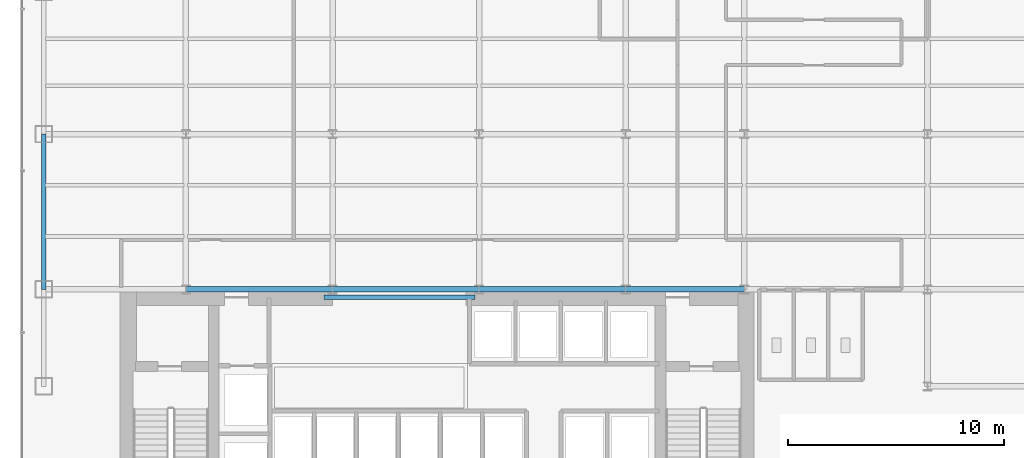
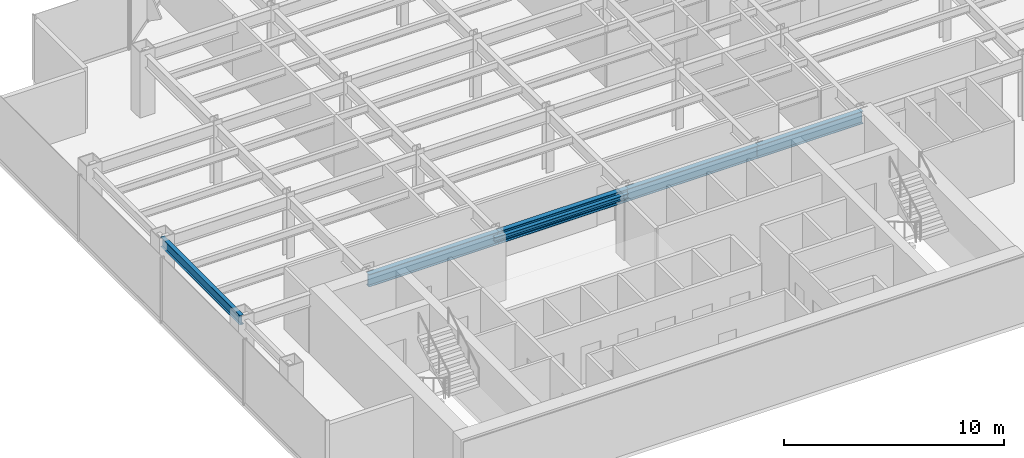
# One storey, part 3 of 26: 6 beams.
"""IFC4 building model written with IfcOpenShell, lengths in metres."""

from ifc_helpers import new_model, si_unit, derived_unit, direction, frame, origin, origin_2d, place, context, subcontext, project, spatial, i_section, extrude, source, transform, mapped, material, material_profile, profile_set, type_object, element, save


model = new_model("IFC4")

# Units and contexts
model_context = context("Model", 3, precision=1e-05, world=origin(), true_north=direction((0.0, 1.0)))
body_context = subcontext(model_context, "Body", "Model", "MODEL_VIEW")
ifc_project = project(units=[si_unit("LENGTHUNIT", "METRE"), si_unit("AREAUNIT", "SQUARE_METRE"), si_unit("VOLUMEUNIT", "CUBIC_METRE"), si_unit("PLANEANGLEUNIT", "RADIAN"), si_unit("MASSUNIT", "GRAM", prefix="KILO"), derived_unit("THERMALTRANSMITTANCEUNIT", [(si_unit("POWERUNIT", "WATT"), 1), (si_unit("LENGTHUNIT", "METRE"), -2), (si_unit("THERMODYNAMICTEMPERATUREUNIT", "KELVIN"), -1)])], contexts=[model_context])

# Site, building, storey
site_placement = place(None, origin())
site = spatial("IfcSite", under=ifc_project, at=site_placement, CompositionType="ELEMENT")
building_placement = place(site_placement, origin())
building = spatial("IfcBuilding", under=site, at=building_placement, Name="Skarnbrae Concourse Arena and Tower", CompositionType="ELEMENT")
storey_placement = place(building_placement, frame((0.0, 0.0, 117.85009765625)))
storey = spatial("IfcBuildingStorey", under=building, at=storey_placement, Name="L29", CompositionType="ELEMENT", Elevation=117.85009765625)

# Beams
ifc_material = material(Name="Steel CSA G40.21 350W", Category="steel")
ifc_material_profile_1 = material_profile(ifc_material, i_section(OverallWidth=0.202880859375, OverallDepth=0.251953125, WebThickness=0.008056640625, FlangeThickness=0.013427734375, at=origin_2d()), Name="W250X58")
ifc_profile_set_1 = profile_set([ifc_material_profile_1], Name="Steel CSA G40.21 350W")
beam_type_1 = type_object("IfcBeamType", Name="BM-LINTEL-W250X58", PredefinedType="LINTEL", material=ifc_profile_set_1)
shared_shape_1 = source(origin(), body_context, "Body", "SweptSolid", [
    extrude(i_section(OverallWidth=0.202880859375, OverallDepth=0.251953125, WebThickness=0.008056640625, FlangeThickness=0.013427734375, at=origin_2d()), origin(), (0.0, 0.0, 1.0), 7.0),
])
beam_1_placement = place(storey_placement, frame((14.0, 13.625, 3.27392578125), z_axis=(1.0, 0.0, 0.0), x_axis=(0.0, 1.0, 0.0)))
element("IfcBeam", 1, at=beam_1_placement, inside=storey, type_object=beam_type_1, Name="L29 Core portal coupling lintel", PredefinedType="LINTEL", context=body_context, shape_type="MappedRepresentation", body=[
    mapped(shared_shape_1, transform((0.0, 0.0, 0.0))),
])
ifc_material_profile_2 = material_profile(ifc_material, i_section(OverallWidth=0.256103515625, OverallDepth=0.693115234375, WebThickness=0.014404296875, FlangeThickness=0.023681640625, at=origin_2d()), Name="W690X170")
ifc_profile_set_2 = profile_set([ifc_material_profile_2], Name="Steel CSA G40.21 350W")
beam_type_2 = type_object("IfcBeamType", Name="BM-GIRD-W690X170", PredefinedType="BEAM", material=ifc_profile_set_2)
shared_shape_2 = source(origin(), body_context, "Body", "SweptSolid", [
    extrude(i_section(OverallWidth=0.256103515625, OverallDepth=0.693115234375, WebThickness=0.014404296875, FlangeThickness=0.023681640625, at=origin_2d()), origin(), (0.0, 0.0, 1.0), 6.7998046875),
])
beam_2_placement = place(storey_placement, frame((7.60009765625, 14.0, 3.053466796875), z_axis=(1.0, 0.0, 0.0), x_axis=(0.0, 1.0, 0.0)))
element("IfcBeam", 2, at=beam_2_placement, inside=storey, type_object=beam_type_2, Name="L29 Primary E-W girder Y14.0-2", PredefinedType="BEAM", context=body_context, shape_type="MappedRepresentation", body=[
    mapped(shared_shape_2, transform((0.0, 0.0, 0.0))),
])
shared_shape_3 = source(origin(), body_context, "Body", "SweptSolid", [
    extrude(i_section(OverallWidth=0.256103515625, OverallDepth=0.693115234375, WebThickness=0.014404296875, FlangeThickness=0.023681640625, at=origin_2d()), origin(), (0.0, 0.0, 1.0), 6.800048828125),
])
for number, where, z_axis, x_axis, name in (
    (3, (14.39990234375, 14.0, 3.053466796875), (1.0, 0.0, 0.0), (0.0, 1.0, 0.0), "L29 Primary E-W girder Y14.0-3"),
    (4, (21.199951171875, 14.0, 3.053466796875), (1.0, 0.0, 0.0), (0.0, 1.0, 0.0), "L29 Primary E-W girder Y14.0-4"),
):
    element("IfcBeam", number, at=place(storey_placement, frame(where, z_axis=z_axis, x_axis=x_axis)), inside=storey, type_object=beam_type_2, Name=name, PredefinedType="BEAM", context=body_context, shape_type="MappedRepresentation", body=[
        mapped(shared_shape_3, transform((0.0, 0.0, 0.0))),
    ])
shared_shape_4 = source(origin(), body_context, "Body", "SweptSolid", [
    extrude(i_section(OverallWidth=0.256103515625, OverallDepth=0.693115234375, WebThickness=0.014404296875, FlangeThickness=0.023681640625, at=origin_2d()), origin(), (0.0, 0.0, 1.0), 5.5),
])
beam_3_placement = place(storey_placement, frame((28.0, 14.0, 3.053466796875), z_axis=(1.0, 0.0, 0.0), x_axis=(0.0, 1.0, 0.0)))
element("IfcBeam", 5, at=beam_3_placement, inside=storey, type_object=beam_type_2, Name="L29 Primary E-W girder Y14.0-5", PredefinedType="BEAM", context=body_context, shape_type="MappedRepresentation", body=[
    mapped(shared_shape_4, transform((0.0, 0.0, 0.0))),
])
ifc_material_profile_3 = material_profile(ifc_material, i_section(OverallWidth=0.208984375, OverallDepth=0.532958984375, WebThickness=0.01025390625, FlangeThickness=0.015625, at=origin_2d()), Name="W530X92")
ifc_profile_set_3 = profile_set([ifc_material_profile_3], Name="Steel CSA G40.21 350W")
beam_type_3 = type_object("IfcBeamType", Name="BM-SPAN-W530X92", PredefinedType="SPANDREL", material=ifc_profile_set_3)
shared_shape_5 = source(origin(), body_context, "Body", "SweptSolid", [
    extrude(i_section(OverallWidth=0.208984375, OverallDepth=0.532958984375, WebThickness=0.01025390625, FlangeThickness=0.015625, at=origin_2d()), origin(), (0.0, 0.0, 1.0), 7.199951171875),
])
beam_4_placement = place(storey_placement, frame((1.0, 14.0, 3.13330078125), z_axis=(0.0, 1.0, 0.0), x_axis=(-1.0, 0.0, 0.0)))
element("IfcBeam", 6, at=beam_4_placement, inside=storey, type_object=beam_type_3, Name="L29 Perimeter spandrel X1.0-2", PredefinedType="SPANDREL", context=body_context, shape_type="MappedRepresentation", body=[
    mapped(shared_shape_5, transform((0.0, 0.0, 0.0))),
])

save(model, "model.ifc")
